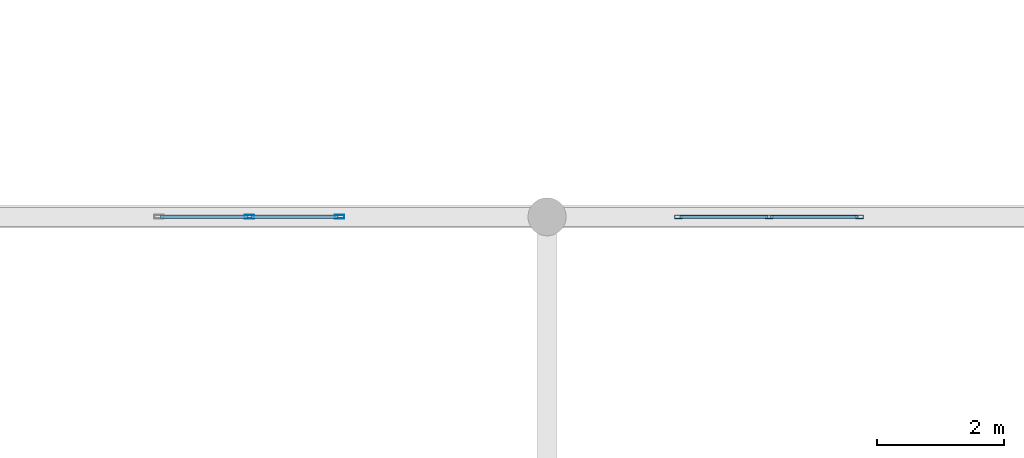
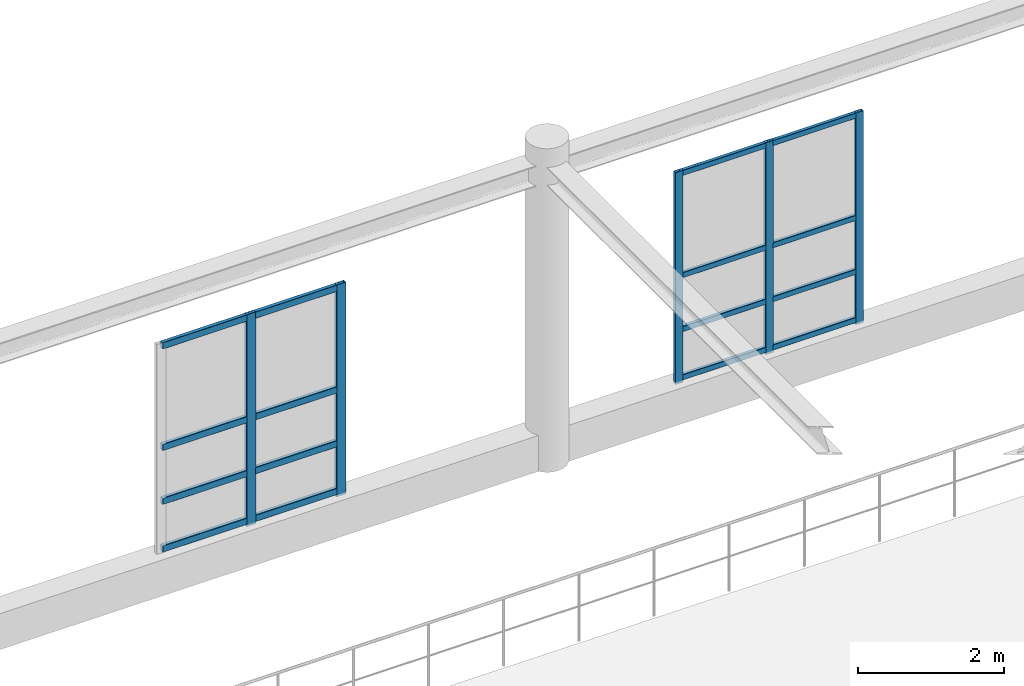
# One storey, part 63 of 197: 21 members, 2 elements without a shape of their own.
"""IFC4 building model written with IfcOpenShell, lengths in metres."""

from ifc_helpers import new_model, si_unit, derived_unit, direction, frame, origin, origin_2d, place, context, subcontext, project, spatial, hollow_rectangle, extrude, material, layer, layer_set, material_profile, profile_set, type_object, element, aggregate, save


model = new_model("IFC4")

# Units and contexts
model_context = context("Model", 3, precision=1e-05, world=origin(), true_north=direction((0.0, 1.0)))
body_context = subcontext(model_context, "Body", "Model", "MODEL_VIEW")
ifc_project = project(units=[si_unit("LENGTHUNIT", "METRE"), si_unit("AREAUNIT", "SQUARE_METRE"), si_unit("VOLUMEUNIT", "CUBIC_METRE"), si_unit("PLANEANGLEUNIT", "RADIAN"), si_unit("MASSUNIT", "GRAM", prefix="KILO"), derived_unit("THERMALTRANSMITTANCEUNIT", [(si_unit("POWERUNIT", "WATT"), 1), (si_unit("LENGTHUNIT", "METRE"), -2), (si_unit("THERMODYNAMICTEMPERATUREUNIT", "KELVIN"), -1)])], contexts=[model_context])

# Site, building, storey
site_placement = place(None, origin())
site = spatial("IfcSite", under=ifc_project, at=site_placement, CompositionType="ELEMENT")
building_placement = place(site_placement, origin())
building = spatial("IfcBuilding", under=site, at=building_placement, Name="Almenara Railside Exhibition Hall", CompositionType="ELEMENT")
storey_placement = place(building_placement, frame((0.0, 0.0, 5.39990234375)))
storey = spatial("IfcBuildingStorey", under=building, at=storey_placement, Name="L01", CompositionType="ELEMENT", Elevation=5.39990234375)

# Curtain wall, members
ifc_material_1 = material(Name="Bronze-anodised aluminium and low-E double glazing", Category="aluminium")
ifc_layer = layer(ifc_material_1, 0.179931640625, Name="Bronze-anodised aluminium and low-E double glazing")
ifc_layer_set = layer_set([ifc_layer], Name="Bronze-anodised aluminium and low-E double glazing")
curtain_wall_type = type_object("IfcCurtainWallType", Name="Courtyard East Galeria Curtain Wall 2900x3500", PredefinedType="NOTDEFINED", material=ifc_layer_set)
curtain_wall_1_placement = place(storey_placement, origin())
curtain_wall_1 = element("IfcCurtainWall", 1, at=curtain_wall_1_placement, inside=storey, type_object=curtain_wall_type, Name="Curtain wall CW-CY2-146", PredefinedType="NOTDEFINED")
ifc_material_2 = material(Name="Bronze-anodised aluminium", Category="aluminium")
ifc_material_profile_1 = material_profile(ifc_material_2, hollow_rectangle(XDim=0.054931640625, YDim=0.125, WallThickness=0.0029296875, InnerFilletRadius=0.0029296875, OuterFilletRadius=0.006103515625, at=origin_2d()), Name="ALU-MUL 55x125x3")
ifc_profile_set_1 = profile_set([ifc_material_profile_1], Name="Bronze-anodised aluminium")
member_type_1 = type_object("IfcMemberType", Name="Curtain Wall Mullion 55x125x3", PredefinedType="MULLION", material=ifc_profile_set_1)
member_1_placement = place(storey_placement, frame((104.072998046875, 54.0, 0.565185546875), z_axis=(0.0, 0.0, 1.0), x_axis=(0.0, 1.0, 0.0)))
member_1 = element("IfcMember", 2, at=member_1_placement, type_object=member_type_1, Name="CW-CY2-146 mullion 1", PredefinedType="MULLION", context=body_context, shape_type="SweptSolid", body=[
    extrude(hollow_rectangle(XDim=0.054931640625, YDim=0.125, WallThickness=0.0029296875, InnerFilletRadius=0.0029296875, OuterFilletRadius=0.006103515625, at=origin_2d()), origin(), (0.0, 0.0, 1.0), 3.534912109375),
])
member_2_placement = place(storey_placement, frame((105.49560546875, 54.0, 0.565185546875), z_axis=(0.0, 0.0, 1.0), x_axis=(0.0, 1.0, 0.0)))
member_2 = element("IfcMember", 3, at=member_2_placement, type_object=member_type_1, Name="CW-CY2-146 mullion 2", PredefinedType="MULLION", context=body_context, shape_type="SweptSolid", body=[
    extrude(hollow_rectangle(XDim=0.054931640625, YDim=0.125, WallThickness=0.0029296875, InnerFilletRadius=0.0029296875, OuterFilletRadius=0.006103515625, at=origin_2d()), origin(), (0.0, 0.0, 1.0), 3.534912109375),
])
member_3_placement = place(storey_placement, frame((106.91796875, 54.0, 0.565185546875), z_axis=(0.0, 0.0, 1.0), x_axis=(0.0, 1.0, 0.0)))
member_3 = element("IfcMember", 4, at=member_3_placement, type_object=member_type_1, Name="CW-CY2-146 mullion 3", PredefinedType="MULLION", context=body_context, shape_type="SweptSolid", body=[
    extrude(hollow_rectangle(XDim=0.054931640625, YDim=0.125, WallThickness=0.0029296875, InnerFilletRadius=0.0029296875, OuterFilletRadius=0.006103515625, at=origin_2d()), origin(), (0.0, 0.0, 1.0), 3.534912109375),
])

curtain_wall_2_placement = place(storey_placement, origin())
curtain_wall_2 = element("IfcCurtainWall", 5, at=curtain_wall_2_placement, inside=storey, type_object=curtain_wall_type, Name="Curtain wall CW-CY2-145", PredefinedType="NOTDEFINED")
ifc_material_profile_2 = material_profile(ifc_material_2, hollow_rectangle(XDim=0.06005859375, YDim=0.14990234375, WallThickness=0.00341796875, InnerFilletRadius=0.00341796875, OuterFilletRadius=0.007080078125, at=origin_2d()), Name="ALU-MUL 60x150x3.5")
ifc_profile_set_2 = profile_set([ifc_material_profile_2], Name="Bronze-anodised aluminium")
member_type_2 = type_object("IfcMemberType", Name="Curtain Wall Mullion 60x150x3.5", PredefinedType="MULLION", material=ifc_profile_set_2)
member_4_placement = place(storey_placement, frame((97.313720703125, 54.0, 0.565185546875), z_axis=(0.0, 0.0, 1.0), x_axis=(0.0, 1.0, 0.0)))
member_4 = element("IfcMember", 6, at=member_4_placement, type_object=member_type_2, Name="CW-CY2-145 mullion 2", PredefinedType="MULLION", context=body_context, shape_type="SweptSolid", body=[
    extrude(hollow_rectangle(XDim=0.06005859375, YDim=0.14990234375, WallThickness=0.00341796875, InnerFilletRadius=0.00341796875, OuterFilletRadius=0.007080078125, at=origin_2d()), origin(), (0.0, 0.0, 1.0), 3.534912109375),
])
member_5_placement = place(storey_placement, frame((98.733642578125, 54.0, 0.565185546875), z_axis=(0.0, 0.0, 1.0), x_axis=(0.0, 1.0, 0.0)))
member_5 = element("IfcMember", 7, at=member_5_placement, type_object=member_type_2, Name="CW-CY2-145 mullion 3", PredefinedType="MULLION", context=body_context, shape_type="SweptSolid", body=[
    extrude(hollow_rectangle(XDim=0.06005859375, YDim=0.14990234375, WallThickness=0.00341796875, InnerFilletRadius=0.00341796875, OuterFilletRadius=0.007080078125, at=origin_2d()), origin(), (0.0, 0.0, 1.0), 3.534912109375),
])

# Member
ifc_material_profile_3 = material_profile(ifc_material_2, hollow_rectangle(XDim=0.054931640625, YDim=0.090087890625, WallThickness=0.0029296875, InnerFilletRadius=0.0029296875, OuterFilletRadius=0.006103515625, at=origin_2d()), Name="ALU-TRN 55x90x3")
ifc_profile_set_3 = profile_set([ifc_material_profile_3], Name="Bronze-anodised aluminium")
member_type_3 = type_object("IfcMemberType", Name="Curtain Wall Transom 55x90x3", PredefinedType="USERDEFINED", material=ifc_profile_set_3)
member_6_placement = place(storey_placement, frame((104.092529296875, 54.0, 0.64501953125), z_axis=(1.0, 0.0, 0.0), x_axis=(0.0, 1.0, 0.0)))
member_6 = element("IfcMember", 8, at=member_6_placement, type_object=member_type_3, Name="CW-CY2-146 transom 1.1", ObjectType="TRANSOM", PredefinedType="USERDEFINED", context=body_context, shape_type="SweptSolid", body=[
    extrude(hollow_rectangle(XDim=0.054931640625, YDim=0.090087890625, WallThickness=0.0029296875, InnerFilletRadius=0.0029296875, OuterFilletRadius=0.006103515625, at=origin_2d()), origin(), (0.0, 0.0, 1.0), 1.383544921875),
])

member_7_placement = place(storey_placement, frame((104.092529296875, 54.0, 1.4501953125), z_axis=(1.0, 0.0, 0.0), x_axis=(0.0, 1.0, 0.0)))
member_7 = element("IfcMember", 9, at=member_7_placement, type_object=member_type_3, Name="CW-CY2-146 transom 1.2", ObjectType="TRANSOM", PredefinedType="USERDEFINED", context=body_context, shape_type="SweptSolid", body=[
    extrude(hollow_rectangle(XDim=0.054931640625, YDim=0.090087890625, WallThickness=0.0029296875, InnerFilletRadius=0.0029296875, OuterFilletRadius=0.006103515625, at=origin_2d()), origin(), (0.0, 0.0, 1.0), 1.383544921875),
])

member_8_placement = place(storey_placement, frame((104.092529296875, 54.0, 2.35009765625), z_axis=(1.0, 0.0, 0.0), x_axis=(0.0, 1.0, 0.0)))
member_8 = element("IfcMember", 10, at=member_8_placement, type_object=member_type_3, Name="CW-CY2-146 transom 1.3", ObjectType="TRANSOM", PredefinedType="USERDEFINED", context=body_context, shape_type="SweptSolid", body=[
    extrude(hollow_rectangle(XDim=0.054931640625, YDim=0.090087890625, WallThickness=0.0029296875, InnerFilletRadius=0.0029296875, OuterFilletRadius=0.006103515625, at=origin_2d()), origin(), (0.0, 0.0, 1.0), 1.383544921875),
])

member_9_placement = place(storey_placement, frame((104.092529296875, 54.0, 4.05517578125), z_axis=(1.0, 0.0, 0.0), x_axis=(0.0, 1.0, 0.0)))
member_9 = element("IfcMember", 11, at=member_9_placement, type_object=member_type_3, Name="CW-CY2-146 transom 1.4", ObjectType="TRANSOM", PredefinedType="USERDEFINED", context=body_context, shape_type="SweptSolid", body=[
    extrude(hollow_rectangle(XDim=0.054931640625, YDim=0.090087890625, WallThickness=0.0029296875, InnerFilletRadius=0.0029296875, OuterFilletRadius=0.006103515625, at=origin_2d()), origin(), (0.0, 0.0, 1.0), 1.383544921875),
])

member_10_placement = place(storey_placement, frame((105.514892578125, 54.0, 0.64501953125), z_axis=(1.0, 0.0, 0.0), x_axis=(0.0, 1.0, 0.0)))
member_10 = element("IfcMember", 12, at=member_10_placement, type_object=member_type_3, Name="CW-CY2-146 transom 2.1", ObjectType="TRANSOM", PredefinedType="USERDEFINED", context=body_context, shape_type="SweptSolid", body=[
    extrude(hollow_rectangle(XDim=0.054931640625, YDim=0.090087890625, WallThickness=0.0029296875, InnerFilletRadius=0.0029296875, OuterFilletRadius=0.006103515625, at=origin_2d()), origin(), (0.0, 0.0, 1.0), 1.383544921875),
])

member_11_placement = place(storey_placement, frame((105.514892578125, 54.0, 1.4501953125), z_axis=(1.0, 0.0, 0.0), x_axis=(0.0, 1.0, 0.0)))
member_11 = element("IfcMember", 13, at=member_11_placement, type_object=member_type_3, Name="CW-CY2-146 transom 2.2", ObjectType="TRANSOM", PredefinedType="USERDEFINED", context=body_context, shape_type="SweptSolid", body=[
    extrude(hollow_rectangle(XDim=0.054931640625, YDim=0.090087890625, WallThickness=0.0029296875, InnerFilletRadius=0.0029296875, OuterFilletRadius=0.006103515625, at=origin_2d()), origin(), (0.0, 0.0, 1.0), 1.383544921875),
])

member_12_placement = place(storey_placement, frame((105.514892578125, 54.0, 2.35009765625), z_axis=(1.0, 0.0, 0.0), x_axis=(0.0, 1.0, 0.0)))
member_12 = element("IfcMember", 14, at=member_12_placement, type_object=member_type_3, Name="CW-CY2-146 transom 2.3", ObjectType="TRANSOM", PredefinedType="USERDEFINED", context=body_context, shape_type="SweptSolid", body=[
    extrude(hollow_rectangle(XDim=0.054931640625, YDim=0.090087890625, WallThickness=0.0029296875, InnerFilletRadius=0.0029296875, OuterFilletRadius=0.006103515625, at=origin_2d()), origin(), (0.0, 0.0, 1.0), 1.383544921875),
])

member_13_placement = place(storey_placement, frame((105.514892578125, 54.0, 4.05517578125), z_axis=(1.0, 0.0, 0.0), x_axis=(0.0, 1.0, 0.0)))
member_13 = element("IfcMember", 15, at=member_13_placement, type_object=member_type_3, Name="CW-CY2-146 transom 2.4", ObjectType="TRANSOM", PredefinedType="USERDEFINED", context=body_context, shape_type="SweptSolid", body=[
    extrude(hollow_rectangle(XDim=0.054931640625, YDim=0.090087890625, WallThickness=0.0029296875, InnerFilletRadius=0.0029296875, OuterFilletRadius=0.006103515625, at=origin_2d()), origin(), (0.0, 0.0, 1.0), 1.383544921875),
])

aggregate(curtain_wall_1, [member_1, member_2, member_3, member_6, member_7, member_8, member_9, member_10, member_11, member_12, member_13])

ifc_material_profile_4 = material_profile(ifc_material_2, hollow_rectangle(XDim=0.06005859375, YDim=0.110107421875, WallThickness=0.0029296875, InnerFilletRadius=0.0029296875, OuterFilletRadius=0.006103515625, at=origin_2d()), Name="ALU-TRN 60x110x3")
ifc_profile_set_4 = profile_set([ifc_material_profile_4], Name="Bronze-anodised aluminium")
member_type_4 = type_object("IfcMemberType", Name="Curtain Wall Transom 60x110x3", PredefinedType="USERDEFINED", material=ifc_profile_set_4)
member_14_placement = place(storey_placement, frame((95.91552734375, 54.0, 0.655029296875), z_axis=(1.0, 0.0, 0.0), x_axis=(0.0, 1.0, 0.0)))
member_14 = element("IfcMember", 16, at=member_14_placement, type_object=member_type_4, Name="CW-CY2-145 transom 1.1", ObjectType="TRANSOM", PredefinedType="USERDEFINED", context=body_context, shape_type="SweptSolid", body=[
    extrude(hollow_rectangle(XDim=0.06005859375, YDim=0.110107421875, WallThickness=0.0029296875, InnerFilletRadius=0.0029296875, OuterFilletRadius=0.006103515625, at=origin_2d()), origin(), (0.0, 0.0, 1.0), 1.3759765625),
])

member_15_placement = place(storey_placement, frame((95.91552734375, 54.0, 1.4501953125), z_axis=(1.0, 0.0, 0.0), x_axis=(0.0, 1.0, 0.0)))
member_15 = element("IfcMember", 17, at=member_15_placement, type_object=member_type_4, Name="CW-CY2-145 transom 1.2", ObjectType="TRANSOM", PredefinedType="USERDEFINED", context=body_context, shape_type="SweptSolid", body=[
    extrude(hollow_rectangle(XDim=0.06005859375, YDim=0.110107421875, WallThickness=0.0029296875, InnerFilletRadius=0.0029296875, OuterFilletRadius=0.006103515625, at=origin_2d()), origin(), (0.0, 0.0, 1.0), 1.3759765625),
])

member_16_placement = place(storey_placement, frame((95.91552734375, 54.0, 2.35009765625), z_axis=(1.0, 0.0, 0.0), x_axis=(0.0, 1.0, 0.0)))
member_16 = element("IfcMember", 18, at=member_16_placement, type_object=member_type_4, Name="CW-CY2-145 transom 1.3", ObjectType="TRANSOM", PredefinedType="USERDEFINED", context=body_context, shape_type="SweptSolid", body=[
    extrude(hollow_rectangle(XDim=0.06005859375, YDim=0.110107421875, WallThickness=0.0029296875, InnerFilletRadius=0.0029296875, OuterFilletRadius=0.006103515625, at=origin_2d()), origin(), (0.0, 0.0, 1.0), 1.3759765625),
])

member_17_placement = place(storey_placement, frame((95.91552734375, 54.0, 4.045166015625), z_axis=(1.0, 0.0, 0.0), x_axis=(0.0, 1.0, 0.0)))
member_17 = element("IfcMember", 19, at=member_17_placement, type_object=member_type_4, Name="CW-CY2-145 transom 1.4", ObjectType="TRANSOM", PredefinedType="USERDEFINED", context=body_context, shape_type="SweptSolid", body=[
    extrude(hollow_rectangle(XDim=0.06005859375, YDim=0.110107421875, WallThickness=0.0029296875, InnerFilletRadius=0.0029296875, OuterFilletRadius=0.006103515625, at=origin_2d()), origin(), (0.0, 0.0, 1.0), 1.3759765625),
])

member_18_placement = place(storey_placement, frame((97.335693359375, 54.0, 0.655029296875), z_axis=(1.0, 0.0, 0.0), x_axis=(0.0, 1.0, 0.0)))
member_18 = element("IfcMember", 20, at=member_18_placement, type_object=member_type_4, Name="CW-CY2-145 transom 2.1", ObjectType="TRANSOM", PredefinedType="USERDEFINED", context=body_context, shape_type="SweptSolid", body=[
    extrude(hollow_rectangle(XDim=0.06005859375, YDim=0.110107421875, WallThickness=0.0029296875, InnerFilletRadius=0.0029296875, OuterFilletRadius=0.006103515625, at=origin_2d()), origin(), (0.0, 0.0, 1.0), 1.3759765625),
])

member_19_placement = place(storey_placement, frame((97.335693359375, 54.0, 1.4501953125), z_axis=(1.0, 0.0, 0.0), x_axis=(0.0, 1.0, 0.0)))
member_19 = element("IfcMember", 21, at=member_19_placement, type_object=member_type_4, Name="CW-CY2-145 transom 2.2", ObjectType="TRANSOM", PredefinedType="USERDEFINED", context=body_context, shape_type="SweptSolid", body=[
    extrude(hollow_rectangle(XDim=0.06005859375, YDim=0.110107421875, WallThickness=0.0029296875, InnerFilletRadius=0.0029296875, OuterFilletRadius=0.006103515625, at=origin_2d()), origin(), (0.0, 0.0, 1.0), 1.3759765625),
])

member_20_placement = place(storey_placement, frame((97.335693359375, 54.0, 2.35009765625), z_axis=(1.0, 0.0, 0.0), x_axis=(0.0, 1.0, 0.0)))
member_20 = element("IfcMember", 22, at=member_20_placement, type_object=member_type_4, Name="CW-CY2-145 transom 2.3", ObjectType="TRANSOM", PredefinedType="USERDEFINED", context=body_context, shape_type="SweptSolid", body=[
    extrude(hollow_rectangle(XDim=0.06005859375, YDim=0.110107421875, WallThickness=0.0029296875, InnerFilletRadius=0.0029296875, OuterFilletRadius=0.006103515625, at=origin_2d()), origin(), (0.0, 0.0, 1.0), 1.3759765625),
])

member_21_placement = place(storey_placement, frame((97.335693359375, 54.0, 4.045166015625), z_axis=(1.0, 0.0, 0.0), x_axis=(0.0, 1.0, 0.0)))
member_21 = element("IfcMember", 23, at=member_21_placement, type_object=member_type_4, Name="CW-CY2-145 transom 2.4", ObjectType="TRANSOM", PredefinedType="USERDEFINED", context=body_context, shape_type="SweptSolid", body=[
    extrude(hollow_rectangle(XDim=0.06005859375, YDim=0.110107421875, WallThickness=0.0029296875, InnerFilletRadius=0.0029296875, OuterFilletRadius=0.006103515625, at=origin_2d()), origin(), (0.0, 0.0, 1.0), 1.3759765625),
])

aggregate(curtain_wall_2, [member_4, member_5, member_14, member_15, member_16, member_17, member_18, member_19, member_20, member_21])

save(model, "model.ifc")
